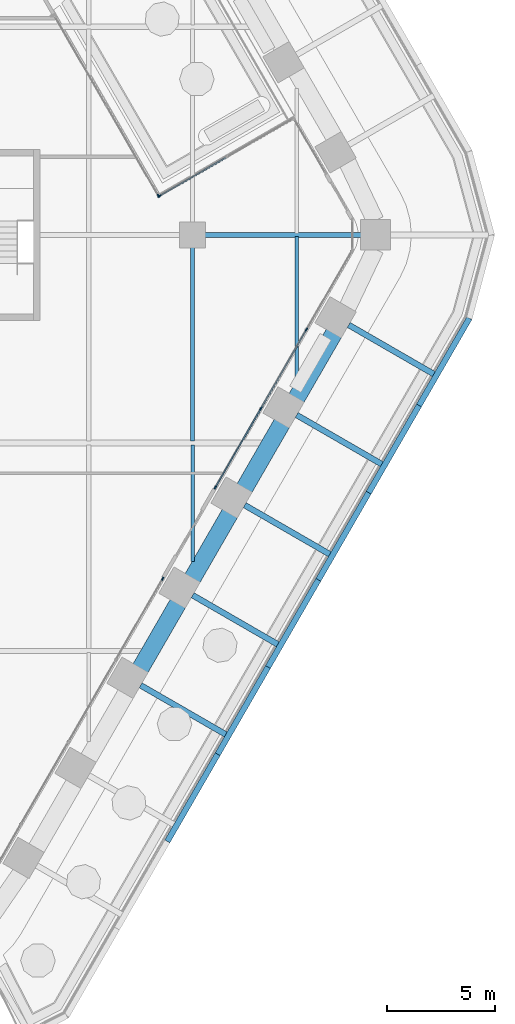
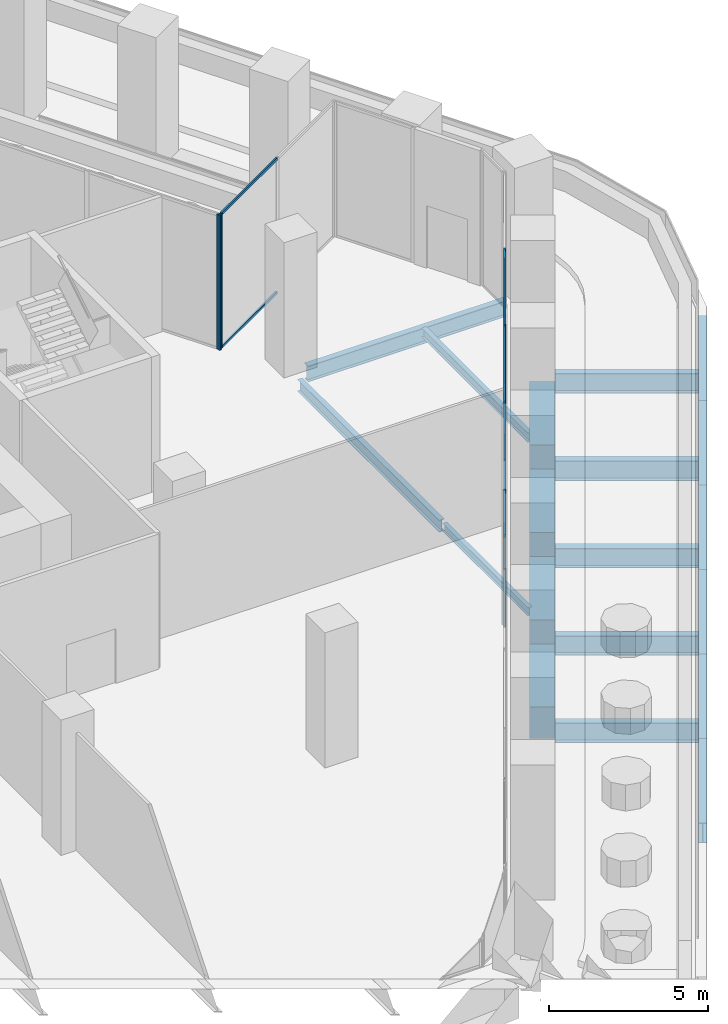
# One storey, part 13 of 32: 19 beams, 12 members, 4 elements without a shape of their own.
"""IFC4 building model written with IfcOpenShell, lengths in metres."""

import ifcopenshell
import ifcopenshell.guid

model = None  # the IFC model being written
_history = None  # IfcOwnerHistory: only IFC2X3 demands one
_inside = {}  # id of a spatial element -> (the spatial element, [elements in it])
_under = {}  # id of a project, library or spatial element -> (it, [spatial elements below it])
_declared = {}  # id of a project -> (the project, [libraries it declares])
_typed = {}  # id of a type object -> (the type object, [elements of that type])
_made_of = {}  # id of a material, layer set ... -> (it, [elements and type objects made of it])


def new_model(schema):
    """Start an empty IFC model of exactly this schema.

    Asked for "IFC4X3", IfcOpenShell would pick the latest addendum, in which some entities
    have other attributes; the version numbers below select the first issue.
    IFC2X3 requires an IfcOwnerHistory on every rooted entity: one is made here for all.
    """
    global model, _history
    if schema == "IFC4X3":
        model = ifcopenshell.file(schema_version=(4, 3, 0, 0))
    else:
        model = ifcopenshell.file(schema=schema)
    _inside.clear()
    _under.clear()
    _declared.clear()
    _typed.clear()
    _made_of.clear()
    _history = None
    if model.schema == "IFC2X3":
        org = make("IfcOrganization", Name="unknown")
        user = make(
            "IfcPersonAndOrganization",
            ThePerson=make("IfcPerson", FamilyName="unknown"),
            TheOrganization=org,
        )
        app = make(
            "IfcApplication",
            ApplicationDeveloper=org,
            Version="unknown",
            ApplicationFullName="unknown",
            ApplicationIdentifier="unknown",
        )
        _history = make(
            "IfcOwnerHistory",
            OwningUser=user,
            OwningApplication=app,
            ChangeAction="ADDED",
            CreationDate=0,
        )
    return model


def make(cls, **values):
    """One entity of the class cls with the attributes given. An attribute that is None is left unset."""
    return model.create_entity(
        cls, **{name: value for name, value in values.items() if value is not None}
    )


def rooted(cls, **values):
    """An entity with a GlobalId (a new one), such as an element, a storey or a relation."""
    return make(cls, GlobalId=ifcopenshell.guid.new(), OwnerHistory=_history, **values)


def si_unit(unit_type, name, prefix=None):
    """IfcSIUnit, for example si_unit("LENGTHUNIT", "METRE", prefix="MILLI")."""
    return make("IfcSIUnit", UnitType=unit_type, Prefix=prefix, Name=name)


def assignment(units):
    """IfcUnitAssignment: the units of a project."""
    return None if units is None else make("IfcUnitAssignment", Units=units)


def point(xyz):
    """IfcCartesianPoint."""
    return None if xyz is None else make("IfcCartesianPoint", Coordinates=xyz)


def direction(xyz):
    """IfcDirection."""
    return None if xyz is None else make("IfcDirection", DirectionRatios=xyz)


def frame(location, z_axis=None, x_axis=None):
    """IfcAxis2Placement3D, a coordinate frame: its origin and axes. An axis left out is left unset."""
    return make(
        "IfcAxis2Placement3D",
        Location=point(location),
        Axis=direction(z_axis),
        RefDirection=direction(x_axis),
    )


def frame_2d(location, x_axis=None):
    """IfcAxis2Placement2D, a coordinate frame in the plane: its origin and x axis."""
    return make(
        "IfcAxis2Placement2D", Location=point(location), RefDirection=direction(x_axis)
    )


def origin():
    """The frame at (0, 0, 0) with its axes left unset."""
    return frame((0.0, 0.0, 0.0))


def origin_2d():
    """The frame at (0, 0) in the plane with its x axis left unset."""
    return frame_2d((0.0, 0.0))


def place(relative_to, where):
    """IfcLocalPlacement: puts the frame where relative to a parent placement (None: the world)."""
    return make(
        "IfcLocalPlacement", PlacementRelTo=relative_to, RelativePlacement=where
    )


def context(
    kind, dimensions, precision=None, world=None, true_north=None, identifier=None
):
    """IfcGeometricRepresentationContext, for example the 3D "Model" context."""
    return make(
        "IfcGeometricRepresentationContext",
        ContextIdentifier=identifier,
        ContextType=kind,
        CoordinateSpaceDimension=dimensions,
        Precision=precision,
        WorldCoordinateSystem=world,
        TrueNorth=true_north,
    )


def subcontext(parent, identifier, kind, view, scale=None):
    """IfcGeometricRepresentationSubContext, for example "Body" below "Model"."""
    return make(
        "IfcGeometricRepresentationSubContext",
        ContextIdentifier=identifier,
        ContextType=kind,
        ParentContext=parent,
        TargetScale=scale,
        TargetView=view,
    )


def project(units=None, contexts=None):
    """IfcProject with its units and contexts."""
    return rooted(
        "IfcProject",
        Name="project",
        RepresentationContexts=contexts,
        UnitsInContext=assignment(units),
    )


def spatial(cls, under=None, at=None, **own):
    """A site, building, storey or space (cls), placed at a placement, below another one or the project."""
    s = rooted(cls, ObjectPlacement=at, **own)
    if under is not None:
        _under.setdefault(under.id(), (under, []))[1].append(s)
    return s


def profile(cls, at=None, kind="AREA", **sizes):
    """A parametric profile (cls). Its sizes go by their IFC names, for example OverallWidth=200.0."""
    return make(cls, ProfileType=kind, Position=at, **sizes)


def rectangle(**sizes):
    """IfcRectangleProfileDef."""
    return profile("IfcRectangleProfileDef", **sizes)


def i_section(**sizes):
    """IfcIShapeProfileDef."""
    return profile("IfcIShapeProfileDef", **sizes)


def extrude(swept, where, along, depth):
    """IfcExtrudedAreaSolid: the profile swept, set in the frame where, extruded along a direction by depth."""
    return make(
        "IfcExtrudedAreaSolid",
        SweptArea=swept,
        Position=where,
        ExtrudedDirection=direction(along),
        Depth=depth,
    )


def shape(context_of_items, identifier, shape_type, items):
    """IfcShapeRepresentation: the items that make up one representation, for example the "Body"."""
    return make(
        "IfcShapeRepresentation",
        ContextOfItems=context_of_items,
        RepresentationIdentifier=identifier,
        RepresentationType=shape_type,
        Items=items,
    )


def material(Name=None, Category=None):
    """IfcMaterial."""
    return make("IfcMaterial", Name=Name, Category=Category)


def material_profile(
    of_material, cross_section, Name=None, Category=None, Priority=None
):
    """IfcMaterialProfile: a cross section and its material."""
    return make(
        "IfcMaterialProfile",
        Name=Name,
        Material=of_material,
        Profile=cross_section,
        Priority=Priority,
        Category=Category,
    )


def profile_set(profiles, Name=None, composite=None):
    """IfcMaterialProfileSet."""
    return make(
        "IfcMaterialProfileSet",
        Name=Name,
        MaterialProfiles=profiles,
        CompositeProfile=composite,
    )


def made_of(thing, what):
    """Note that an element or type object is made of a material, layer set ...; save() writes the relation."""
    if what is not None:
        _made_of.setdefault(what.id(), (what, []))[1].append(thing)
    return thing


def type_object(cls, material=None, **own):
    """A type object (cls), such as IfcWallType, which elements share."""
    return made_of(rooted(cls, **own), material)


def element(
    cls,
    number,
    at=None,
    inside=None,
    cuts=None,
    type_object=None,
    material=None,
    context=None,
    identifier="Body",
    shape_type=None,
    held_by="IfcProductDefinitionShape",
    body=None,
    shapes=None,
    **own,
):
    """One element of the class cls, such as IfcWall. Its Tag is "e" and its number.

    at: its placement. inside: the storey or other place that contains it. cuts: it is an
    opening in that element (IfcRelVoidsElement). A single representation is given by context,
    identifier, shape_type and body (its items); several are given by shapes. held_by: the class
    of the entity that holds the representations. save() writes the other relations.
    """
    e = rooted(cls, Tag="e%d" % number, ObjectPlacement=at, **own)
    if body is not None:
        shapes = [shape(context, identifier, shape_type, body)]
    if shapes is not None:
        e.Representation = make(held_by, Representations=shapes)
    if inside is not None:
        _inside.setdefault(inside.id(), (inside, []))[1].append(e)
    if cuts is not None:
        rooted(
            "IfcRelVoidsElement", RelatingBuildingElement=cuts, RelatedOpeningElement=e
        )
    if type_object is not None:
        _typed.setdefault(type_object.id(), (type_object, []))[1].append(e)
    return made_of(e, material)


def aggregate(whole, parts):
    """IfcRelAggregates: a whole, such as a stair, and the parts it consists of."""
    return rooted("IfcRelAggregates", RelatingObject=whole, RelatedObjects=parts)


def save(model, path):
    """Write the relations noted so far, then the file.

    IfcRelAggregates (storeys below a building ...), IfcRelContainedInSpatialStructure (elements
    in a storey), IfcRelDefinesByType, IfcRelAssociatesMaterial and IfcRelDeclares: one each for
    every whole, place, type object, material and project.
    """
    for whole, parts in _under.values():
        aggregate(whole, parts)
    for where, things in _inside.values():
        rooted(
            "IfcRelContainedInSpatialStructure",
            RelatedElements=things,
            RelatingStructure=where,
        )
    for kind, things in _typed.values():
        rooted("IfcRelDefinesByType", RelatedObjects=things, RelatingType=kind)
    for what, things in _made_of.values():
        rooted("IfcRelAssociatesMaterial", RelatedObjects=things, RelatingMaterial=what)
    for by, libraries in _declared.values():
        rooted("IfcRelDeclares", RelatingContext=by, RelatedDefinitions=libraries)
    model.write(path)


model = new_model("IFC4")

# Units and contexts
model_context = context("Model", 3, precision=1e-05, world=origin(), true_north=direction((0.0, 1.0)))
body_context = subcontext(model_context, "Body", "Model", "MODEL_VIEW")
ifc_project = project(units=[si_unit("LENGTHUNIT", "METRE"), si_unit("AREAUNIT", "SQUARE_METRE"), si_unit("VOLUMEUNIT", "CUBIC_METRE"), si_unit("PLANEANGLEUNIT", "RADIAN"), si_unit("MASSUNIT", "GRAM", prefix="KILO")], contexts=[model_context])

# Site, building, storey
site_placement = place(None, origin())
site = spatial("IfcSite", under=ifc_project, at=site_placement, CompositionType="ELEMENT")
building_placement = place(site_placement, origin())
building = spatial("IfcBuilding", under=site, at=building_placement, Name="Kolab Exchange Tower", CompositionType="ELEMENT")
storey_placement = place(building_placement, frame((0.0, 0.0, 60.89990234375)))
storey = spatial("IfcBuildingStorey", under=building, at=storey_placement, Name="L11", CompositionType="ELEMENT", Elevation=60.89990234375)

# Beams
ifc_material_1 = material(Name="Steel S355", Category="steel")
ifc_material_profile_1 = material_profile(ifc_material_1, i_section(OverallWidth=0.1650390625, OverallDepth=0.31005859375, WebThickness=0.005859375, FlangeThickness=0.009765625, at=origin_2d()), Name="W310X39")
ifc_profile_set_1 = profile_set([ifc_material_profile_1], Name="Steel S355")
beam_type_1 = type_object("IfcBeamType", Name="FLOOR BEAM W310X39", PredefinedType="BEAM", material=ifc_profile_set_1)
beam_1_placement = place(storey_placement, frame((28.800048828125, -15.067626953125, -0.40478515625), z_axis=(0.0, 1.0, 0.0), x_axis=(-1.0, 0.0, 0.0)))
element("IfcBeam", 1, at=beam_1_placement, inside=storey, type_object=beam_type_1, Name="beam/L11/fr/058", PredefinedType="BEAM", context=body_context, shape_type="SweptSolid", body=[
    extrude(i_section(OverallWidth=0.1650390625, OverallDepth=0.31005859375, WebThickness=0.005859375, FlangeThickness=0.009765625, at=origin_2d()), origin(), (0.0, 0.0, 1.0), 5.3740234375),
])
ifc_material_profile_2 = material_profile(ifc_material_1, i_section(OverallWidth=0.1708984375, OverallDepth=0.35498046875, WebThickness=0.007080078125, FlangeThickness=0.01171875, at=origin_2d()), Name="W360X51")
ifc_profile_set_2 = profile_set([ifc_material_profile_2], Name="Steel S355")
beam_type_2 = type_object("IfcBeamType", Name="FLOOR BEAM W360X51", PredefinedType="BEAM", material=ifc_profile_set_2)
beam_2_placement = place(storey_placement, frame((33.60009765625, -6.75390625, -0.427490234375), z_axis=(0.0, 1.0, 0.0), x_axis=(-1.0, 0.0, 0.0)))
element("IfcBeam", 2, at=beam_2_placement, inside=storey, type_object=beam_type_2, Name="beam/L11/fr/062", PredefinedType="BEAM", context=body_context, shape_type="SweptSolid", body=[
    extrude(i_section(OverallWidth=0.1708984375, OverallDepth=0.35498046875, WebThickness=0.007080078125, FlangeThickness=0.01171875, at=origin_2d()), origin(), (0.0, 0.0, 1.0), 6.679931640625),
])
ifc_material_profile_3 = material_profile(ifc_material_1, i_section(OverallWidth=0.18994140625, OverallDepth=0.45703125, WebThickness=0.009033203125, FlangeThickness=0.014404296875, at=origin_2d()), Name="W460X74")
ifc_profile_set_3 = profile_set([ifc_material_profile_3], Name="Steel S355")
beam_type_3 = type_object("IfcBeamType", Name="FLOOR BEAM W460X74", PredefinedType="BEAM", material=ifc_profile_set_3)
beam_3_placement = place(storey_placement, frame((28.800048828125, -9.506591796875, -0.478515625), z_axis=(0.0, 1.0, 0.0), x_axis=(-1.0, 0.0, 0.0)))
element("IfcBeam", 3, at=beam_3_placement, inside=storey, type_object=beam_type_3, Name="beam/L11/fr/059", PredefinedType="BEAM", context=body_context, shape_type="SweptSolid", body=[
    extrude(i_section(OverallWidth=0.18994140625, OverallDepth=0.45703125, WebThickness=0.009033203125, FlangeThickness=0.014404296875, at=origin_2d()), origin(), (0.0, 0.0, 1.0), 8.946533203125),
])
ifc_material_profile_4 = material_profile(ifc_material_1, i_section(OverallWidth=0.22802734375, OverallDepth=0.60791015625, WebThickness=0.01123046875, FlangeThickness=0.017333984375, at=origin_2d()), Name="W610X113")
ifc_profile_set_4 = profile_set([ifc_material_profile_4], Name="Steel S355")
beam_type_4 = type_object("IfcBeamType", Name="FLOOR GIRDER W610X113", PredefinedType="BEAM", material=ifc_profile_set_4)
beam_4_placement = place(storey_placement, frame((29.360107421875, 0.0, -0.553955078125), z_axis=(1.0, 0.0, 0.0), x_axis=(0.0, 1.0, 0.0)))
element("IfcBeam", 4, at=beam_4_placement, inside=storey, type_object=beam_type_4, Name="beam/L11/gd/025", PredefinedType="BEAM", context=body_context, shape_type="SweptSolid", body=[
    extrude(i_section(OverallWidth=0.22802734375, OverallDepth=0.60791015625, WebThickness=0.01123046875, FlangeThickness=0.017333984375, at=origin_2d()), origin(), (0.0, 0.0, 1.0), 7.2158203125),
])
ifc_material_profile_5 = material_profile(ifc_material_1, i_section(OverallWidth=0.26708984375, OverallDepth=0.761962890625, WebThickness=0.014404296875, FlangeThickness=0.021484375, at=origin_2d()), Name="W760X173")
ifc_profile_set_5 = profile_set([ifc_material_profile_5], Name="Steel S355")
beam_type_5 = type_object("IfcBeamType", Name="FLOOR GIRDER W760X173", PredefinedType="BEAM", material=ifc_profile_set_5)
for number, where, z_axis, x_axis, name in (
    (5, (36.0, -4.156982421875, -0.69091796875), (0.866043881399, -0.499967994467, 0.0), (0.499967994467, 0.866043881399, 0.0), "beam/L11/ledge/rib-09"),
    (6, (33.60009765625, -8.313720703125, -0.69091796875), (0.866007095043, -0.500031710329, 0.0), (0.500031710329, 0.866007095043, 0.0), "beam/L11/ledge/rib-10"),
):
    element("IfcBeam", number, at=place(storey_placement, frame(where, z_axis=z_axis, x_axis=x_axis)), inside=storey, type_object=beam_type_5, Name=name, PredefinedType="BEAM", context=body_context, shape_type="SweptSolid", body=[
        extrude(i_section(OverallWidth=0.26708984375, OverallDepth=0.761962890625, WebThickness=0.014404296875, FlangeThickness=0.021484375, at=origin_2d()), origin(), (0.0, 0.0, 1.0), 4.532958984375),
    ])
beam_5_placement = place(storey_placement, frame((31.199951171875, -12.470703125, -0.69091796875), z_axis=(0.866020560687, -0.500008388397, 0.0), x_axis=(0.500008388397, 0.866020560687, 0.0)))
element("IfcBeam", 7, at=beam_5_placement, inside=storey, type_object=beam_type_5, Name="beam/L11/ledge/rib-11", PredefinedType="BEAM", context=body_context, shape_type="SweptSolid", body=[
    extrude(i_section(OverallWidth=0.26708984375, OverallDepth=0.761962890625, WebThickness=0.014404296875, FlangeThickness=0.021484375, at=origin_2d()), origin(), (0.0, 0.0, 1.0), 4.533203125),
])
for number, where, z_axis, x_axis, name in (
    (8, (28.800048828125, -16.627685546875, -0.69091796875), (0.866007095043, -0.500031710329, 0.0), (0.500031710329, 0.866007095043, 0.0), "beam/L11/ledge/rib-12"),
    (9, (26.39990234375, -20.78466796875, -0.69091796875), (0.866043881399, -0.499967994467, 0.0), (0.499967994467, 0.866043881399, 0.0), "beam/L11/ledge/rib-13"),
):
    element("IfcBeam", number, at=place(storey_placement, frame(where, z_axis=z_axis, x_axis=x_axis)), inside=storey, type_object=beam_type_5, Name=name, PredefinedType="BEAM", context=body_context, shape_type="SweptSolid", body=[
        extrude(i_section(OverallWidth=0.26708984375, OverallDepth=0.761962890625, WebThickness=0.014404296875, FlangeThickness=0.021484375, at=origin_2d()), origin(), (0.0, 0.0, 1.0), 4.532958984375),
    ])
for number, where, z_axis, x_axis, name in (
    (10, (41.56640625, -3.848388671875, -0.69091796875), (-0.499977226672, -0.866038551572, 0.0), (0.866038551572, -0.499977226672, 0.0), "beam/L11/ledge/edge-11"),
    (11, (39.243896484375, -7.871337890625, -0.69091796875), (-0.500016644261, -0.866015794002, 0.0), (0.866015794002, -0.500016644261, 0.0), "beam/L11/ledge/edge-12"),
    (12, (36.921142578125, -11.894287109375, -0.69091796875), (-0.499977226672, -0.866038551572, 0.0), (0.866038551572, -0.499977226672, 0.0), "beam/L11/ledge/edge-13"),
    (13, (34.5986328125, -15.917236328125, -0.69091796875), (-0.500016644261, -0.866015794002, 0.0), (0.866015794002, -0.500016644261, 0.0), "beam/L11/ledge/edge-14"),
    (14, (32.27587890625, -19.940185546875, -0.69091796875), (-0.499977226672, -0.866038551572, 0.0), (0.866038551572, -0.499977226672, 0.0), "beam/L11/ledge/edge-15"),
    (15, (29.953369140625, -23.963134765625, -0.69091796875), (-0.500016644261, -0.866015794002, 0.0), (0.866015794002, -0.500016644261, 0.0), "beam/L11/ledge/edge-16"),
):
    element("IfcBeam", number, at=place(storey_placement, frame(where, z_axis=z_axis, x_axis=x_axis)), inside=storey, type_object=beam_type_5, Name=name, PredefinedType="BEAM", context=body_context, shape_type="SweptSolid", body=[
        extrude(i_section(OverallWidth=0.26708984375, OverallDepth=0.761962890625, WebThickness=0.014404296875, FlangeThickness=0.021484375, at=origin_2d()), origin(), (0.0, 0.0, 1.0), 4.645263671875),
    ])
ifc_material_2 = material(Name="Concrete C80/95", Category="concrete")
ifc_material_profile_6 = material_profile(ifc_material_2, rectangle(XDim=0.800048828125, YDim=1.199951171875, at=origin_2d()), Name="RC800X1200")
ifc_profile_set_6 = profile_set([ifc_material_profile_6], Name="Concrete C80/95")
beam_type_6 = type_object("IfcBeamType", Name="SPANDREL BEAM 800X1200 C80/95", PredefinedType="BEAM", material=ifc_profile_set_6)
beam_6_placement = place(storey_placement, frame((35.323486328125, -4.528564453125, -0.849853515625), z_axis=(-0.500009906705, -0.86601968407, 0.0), x_axis=(0.86601968407, -0.500009906705, 0.0)))
element("IfcBeam", 16, at=beam_6_placement, inside=storey, type_object=beam_type_6, Name="beam/L11/sp/F3-02", PredefinedType="BEAM", context=body_context, shape_type="SweptSolid", body=[
    extrude(rectangle(XDim=0.800048828125, YDim=1.199951171875, at=origin_2d()), origin(), (0.0, 0.0, 1.0), 3.47998046875),
])
for number, where, z_axis, x_axis, name in (
    (17, (32.923583984375, -8.685302734375, -0.849853515625), (-0.499979528911, -0.866037222451, 0.0), (0.866037222451, -0.499979528911, 0.0), "beam/L11/sp/F3-03"),
    (18, (30.523681640625, -12.84228515625, -0.849853515625), (-0.499979528911, -0.866037222451, 0.0), (0.866037222451, -0.499979528911, 0.0), "beam/L11/sp/F3-04"),
):
    element("IfcBeam", number, at=place(storey_placement, frame(where, z_axis=z_axis, x_axis=x_axis)), inside=storey, type_object=beam_type_6, Name=name, PredefinedType="BEAM", context=body_context, shape_type="SweptSolid", body=[
        extrude(rectangle(XDim=0.800048828125, YDim=1.199951171875, at=origin_2d()), origin(), (0.0, 0.0, 1.0), 3.480224609375),
    ])
beam_7_placement = place(storey_placement, frame((28.12353515625, -16.999267578125, -0.849853515625), z_axis=(-0.500009906705, -0.86601968407, 0.0), x_axis=(0.86601968407, -0.500009906705, 0.0)))
element("IfcBeam", 19, at=beam_7_placement, inside=storey, type_object=beam_type_6, Name="beam/L11/sp/F3-05", PredefinedType="BEAM", context=body_context, shape_type="SweptSolid", body=[
    extrude(rectangle(XDim=0.800048828125, YDim=1.199951171875, at=origin_2d()), origin(), (0.0, 0.0, 1.0), 3.47998046875),
])

# Curtain wall, member
ifc_material_3 = material(Name="Aluminium EN AW-6063 T6", Category="aluminium")
curtain_wall_type = type_object("IfcCurtainWallType", Name="UNITISED LOW ZONE CURTAIN WALL", PredefinedType="NOTDEFINED", material=ifc_material_3)
curtain_wall_1_placement = place(storey_placement, origin())
curtain_wall_1 = element("IfcCurtainWall", 20, at=curtain_wall_1_placement, inside=storey, type_object=curtain_wall_type, Name="cw/L11/F2-back-2", PredefinedType="NOTDEFINED")
ifc_material_profile_7 = material_profile(ifc_material_3, rectangle(XDim=0.06005859375, YDim=0.159912109375, at=origin_2d()), Name="RECT 60X160")
ifc_profile_set_7 = profile_set([ifc_material_profile_7], Name="Aluminium EN AW-6063 T6")
member_type_1 = type_object("IfcMemberType", Name="UNITISED LOW ZONE MULLION 60 X 160", PredefinedType="MULLION", material=ifc_profile_set_7)
member_1_placement = place(storey_placement, frame((27.22119140625, 1.802001953125, 0.0), z_axis=(0.0, 0.0, 1.0), x_axis=(0.866025416665, 0.49999997769, 0.0)))
member_1 = element("IfcMember", 21, at=member_1_placement, type_object=member_type_1, Name="CW1 mullion 3", PredefinedType="MULLION", context=body_context, shape_type="SweptSolid", body=[
    extrude(rectangle(XDim=0.06005859375, YDim=0.159912109375, at=origin_2d()), origin(), (0.0, 0.0, 1.0), 5.2001953125),
])
aggregate(curtain_wall_1, [member_1])

curtain_wall_2_placement = place(storey_placement, origin())
curtain_wall_2 = element("IfcCurtainWall", 22, at=curtain_wall_2_placement, inside=storey, type_object=curtain_wall_type, Name="cw/L11/F2-rr-1", PredefinedType="NOTDEFINED")
member_2_placement = place(storey_placement, frame((27.26220703125, 1.791015625, 0.0), z_axis=(0.0, 0.0, 1.0), x_axis=(-0.499999994423, 0.866025407005, 0.0)))
member_2 = element("IfcMember", 23, at=member_2_placement, type_object=member_type_1, Name="CW1 mullion 1", PredefinedType="MULLION", context=body_context, shape_type="SweptSolid", body=[
    extrude(rectangle(XDim=0.06005859375, YDim=0.159912109375, at=origin_2d()), origin(), (0.0, 0.0, 1.0), 5.2001953125),
])

# Curtain wall, members
curtain_wall_3_placement = place(storey_placement, origin())
curtain_wall_3 = element("IfcCurtainWall", 24, at=curtain_wall_3_placement, inside=storey, type_object=curtain_wall_type, Name="cw/L11/F3-1", PredefinedType="NOTDEFINED")
member_3_placement = place(storey_placement, frame((34.054443359375, -4.366943359375, 0.0), z_axis=(0.0, 0.0, 1.0), x_axis=(0.866025427826, -0.499999958358, 0.0)))
member_3 = element("IfcMember", 25, at=member_3_placement, type_object=member_type_1, Name="CW1 mullion 2", PredefinedType="MULLION", context=body_context, shape_type="SweptSolid", body=[
    extrude(rectangle(XDim=0.06005859375, YDim=0.159912109375, at=origin_2d()), origin(), (0.0, 0.0, 1.0), 5.2001953125),
])
member_4_placement = place(storey_placement, frame((31.943115234375, -8.02392578125, 0.0), z_axis=(0.0, 0.0, 1.0), x_axis=(0.866025427826, -0.499999958358, 0.0)))
member_4 = element("IfcMember", 26, at=member_4_placement, type_object=member_type_1, Name="CW1 mullion 3", PredefinedType="MULLION", context=body_context, shape_type="SweptSolid", body=[
    extrude(rectangle(XDim=0.06005859375, YDim=0.159912109375, at=origin_2d()), origin(), (0.0, 0.0, 1.0), 5.2001953125),
])
member_5_placement = place(storey_placement, frame((29.8466796875, -11.65478515625, 0.0), z_axis=(0.0, 0.0, 1.0), x_axis=(0.866025427826, -0.499999958358, 0.0)))
member_5 = element("IfcMember", 27, at=member_5_placement, type_object=member_type_1, Name="CW1 mullion 4", PredefinedType="MULLION", context=body_context, shape_type="SweptSolid", body=[
    extrude(rectangle(XDim=0.06005859375, YDim=0.159912109375, at=origin_2d()), origin(), (0.0, 0.0, 1.0), 5.2001953125),
])

# Curtain wall, member
curtain_wall_4_placement = place(storey_placement, origin())
curtain_wall_4 = element("IfcCurtainWall", 28, at=curtain_wall_4_placement, inside=storey, type_object=curtain_wall_type, Name="cw/L11/F3-2", PredefinedType="NOTDEFINED")
member_6_placement = place(storey_placement, frame((27.416748046875, -15.86376953125, 0.0), z_axis=(0.0, 0.0, 1.0), x_axis=(0.866025397318, -0.5000000112, 0.0)))
member_6 = element("IfcMember", 29, at=member_6_placement, type_object=member_type_1, Name="CW1 mullion 1", PredefinedType="MULLION", context=body_context, shape_type="SweptSolid", body=[
    extrude(rectangle(XDim=0.06005859375, YDim=0.159912109375, at=origin_2d()), origin(), (0.0, 0.0, 1.0), 5.2001953125),
])
aggregate(curtain_wall_4, [member_6])

# Member
ifc_material_profile_8 = material_profile(ifc_material_3, rectangle(XDim=0.06005859375, YDim=0.10009765625, at=origin_2d()), Name="RECT 60X100")
ifc_profile_set_8 = profile_set([ifc_material_profile_8], Name="Aluminium EN AW-6063 T6")
member_type_2 = type_object("IfcMemberType", Name="UNITISED LOW ZONE TRANSOM 60 X 100", PredefinedType="USERDEFINED", material=ifc_profile_set_8)
member_7_placement = place(storey_placement, frame((27.288330078125, 1.80615234375, 0.030029296875), z_axis=(0.866043119098, 0.499969314921, 0.0), x_axis=(-0.499969314921, 0.866043119098, 0.0)))
member_7 = element("IfcMember", 30, at=member_7_placement, type_object=member_type_2, Name="CW1 transom 1.1", ObjectType="TRANSOM", PredefinedType="USERDEFINED", context=body_context, shape_type="SweptSolid", body=[
    extrude(rectangle(XDim=0.06005859375, YDim=0.10009765625, at=origin_2d()), origin(), (0.0, 0.0, 1.0), 3.510009765625),
])

member_8_placement = place(storey_placement, frame((27.288330078125, 1.80615234375, 5.170166015625), z_axis=(0.866043119098, 0.499969314921, 0.0), x_axis=(-0.499969314921, 0.866043119098, 0.0)))
member_8 = element("IfcMember", 31, at=member_8_placement, type_object=member_type_2, Name="CW1 transom 1.2", ObjectType="TRANSOM", PredefinedType="USERDEFINED", context=body_context, shape_type="SweptSolid", body=[
    extrude(rectangle(XDim=0.06005859375, YDim=0.10009765625, at=origin_2d()), origin(), (0.0, 0.0, 1.0), 3.510009765625),
])

aggregate(curtain_wall_2, [member_2, member_7, member_8])

member_9_placement = place(storey_placement, frame((34.039306640625, -4.392822265625, 0.030029296875), z_axis=(-0.49999322259, -0.866029316688, 0.0), x_axis=(0.866029316688, -0.49999322259, 0.0)))
member_9 = element("IfcMember", 32, at=member_9_placement, type_object=member_type_2, Name="CW1 transom 2.1", ObjectType="TRANSOM", PredefinedType="USERDEFINED", context=body_context, shape_type="SweptSolid", body=[
    extrude(rectangle(XDim=0.06005859375, YDim=0.10009765625, at=origin_2d()), origin(), (0.0, 0.0, 1.0), 4.16259765625),
])

member_10_placement = place(storey_placement, frame((34.039306640625, -4.392822265625, 5.170166015625), z_axis=(-0.49999322259, -0.866029316688, 0.0), x_axis=(0.866029316688, -0.49999322259, 0.0)))
member_10 = element("IfcMember", 33, at=member_10_placement, type_object=member_type_2, Name="CW1 transom 2.2", ObjectType="TRANSOM", PredefinedType="USERDEFINED", context=body_context, shape_type="SweptSolid", body=[
    extrude(rectangle(XDim=0.06005859375, YDim=0.10009765625, at=origin_2d()), origin(), (0.0, 0.0, 1.0), 4.16259765625),
])

member_11_placement = place(storey_placement, frame((31.927978515625, -8.0498046875, 0.030029296875), z_axis=(-0.500001996123, -0.866024251319, 0.0), x_axis=(0.866024251319, -0.500001996123, 0.0)))
member_11 = element("IfcMember", 34, at=member_11_placement, type_object=member_type_2, Name="CW1 transom 3.1", ObjectType="TRANSOM", PredefinedType="USERDEFINED", context=body_context, shape_type="SweptSolid", body=[
    extrude(rectangle(XDim=0.06005859375, YDim=0.10009765625, at=origin_2d()), origin(), (0.0, 0.0, 1.0), 4.1328125),
])

member_12_placement = place(storey_placement, frame((31.927978515625, -8.0498046875, 5.170166015625), z_axis=(-0.500001996123, -0.866024251319, 0.0), x_axis=(0.866024251319, -0.500001996123, 0.0)))
member_12 = element("IfcMember", 35, at=member_12_placement, type_object=member_type_2, Name="CW1 transom 3.2", ObjectType="TRANSOM", PredefinedType="USERDEFINED", context=body_context, shape_type="SweptSolid", body=[
    extrude(rectangle(XDim=0.06005859375, YDim=0.10009765625, at=origin_2d()), origin(), (0.0, 0.0, 1.0), 4.1328125),
])

aggregate(curtain_wall_3, [member_3, member_4, member_5, member_9, member_10, member_11, member_12])

save(model, "model.ifc")
